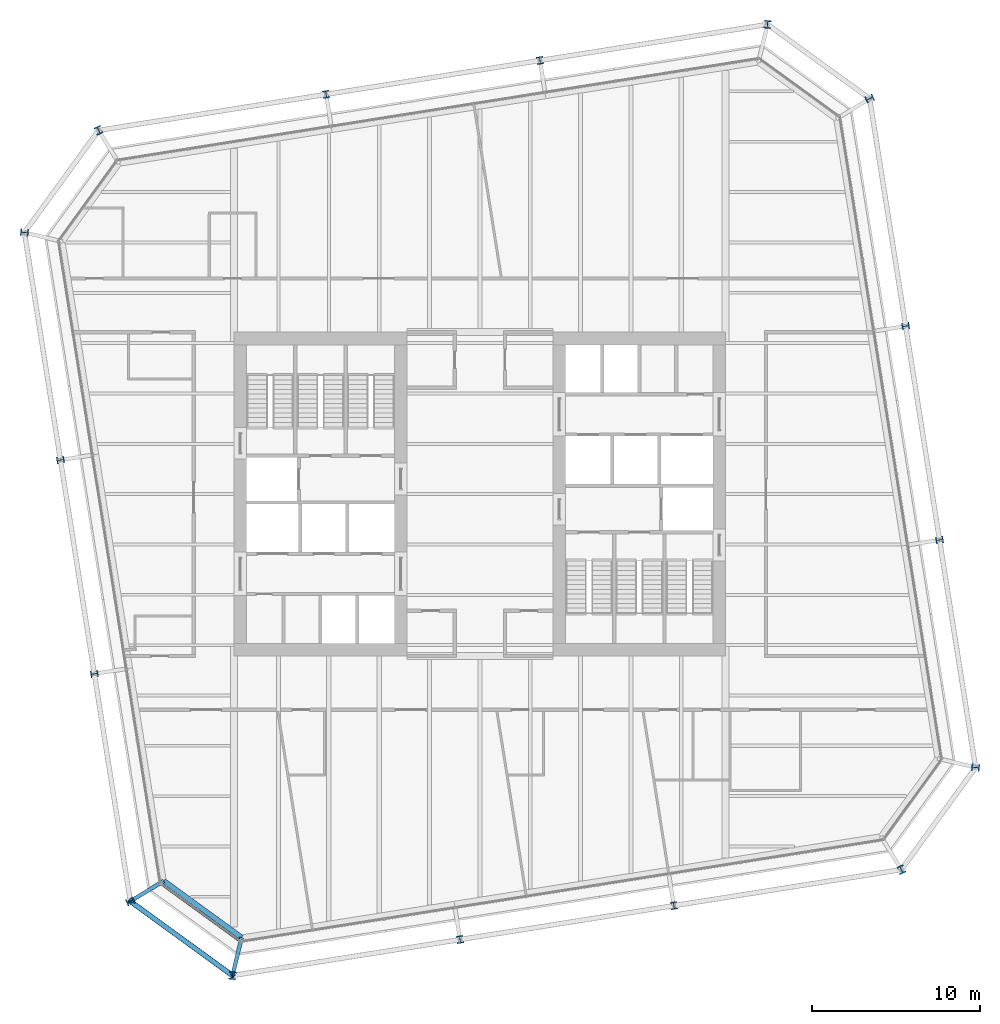
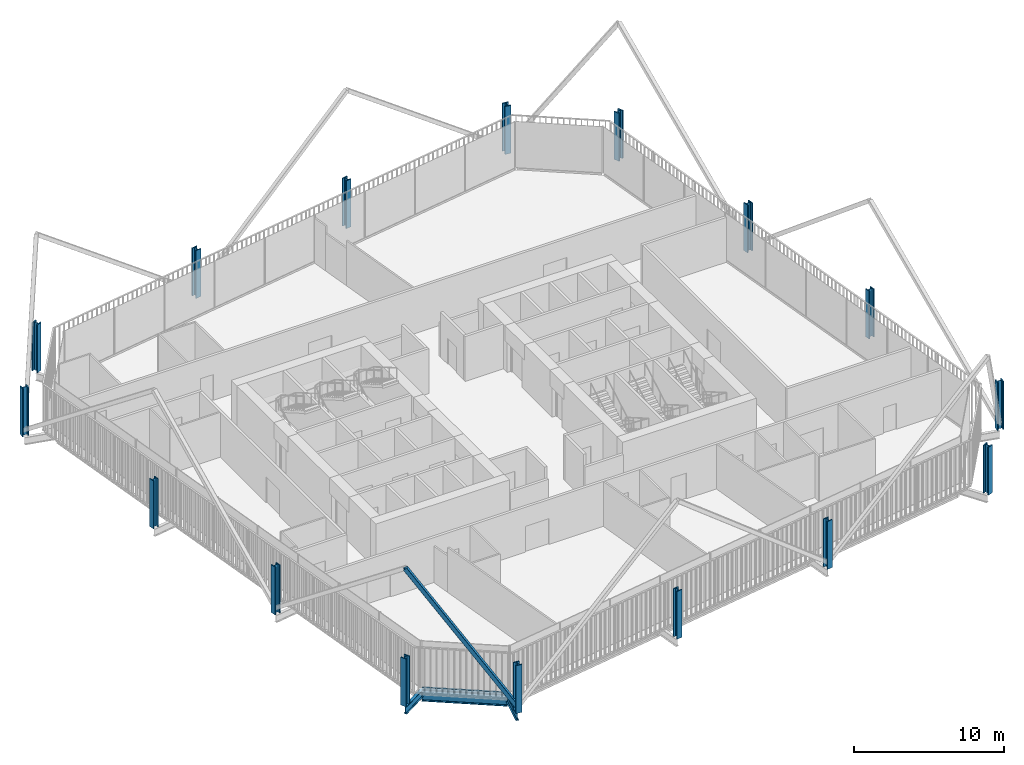
# One storey, part 1 of 22: 16 columns, 3 beams, 2 members, 1 element without a shape of its own.
"""IFC4 building model written with IfcOpenShell, lengths in metres."""

from ifc_helpers import new_model, si_unit, direction, frame, origin, origin_2d, place, context, subcontext, project, spatial, rectangle, hollow_rectangle, i_section, extrude, material, layer, layer_set, material_profile, profile_set, type_object, element, aggregate, save


model = new_model("IFC4")

# Units and contexts
model_context = context("Model", 3, precision=1e-05, world=origin(), true_north=direction((0.0, 1.0)))
body_context = subcontext(model_context, "Body", "Model", "MODEL_VIEW")
ifc_project = project(units=[si_unit("LENGTHUNIT", "METRE"), si_unit("AREAUNIT", "SQUARE_METRE"), si_unit("VOLUMEUNIT", "CUBIC_METRE"), si_unit("PLANEANGLEUNIT", "RADIAN"), si_unit("MASSUNIT", "GRAM", prefix="KILO")], contexts=[model_context])

# Site, building, storey
site_placement = place(None, origin())
site = spatial("IfcSite", under=ifc_project, at=site_placement, CompositionType="ELEMENT")
building_placement = place(site_placement, origin())
building = spatial("IfcBuilding", under=site, at=building_placement, Name="Millrace Tower", CompositionType="ELEMENT")
storey_placement = place(building_placement, frame((0.0, 0.0, 168.5)))
storey = spatial("IfcBuildingStorey", under=building, at=storey_placement, Name="L38", CompositionType="ELEMENT", Elevation=168.5)

# Columns
ifc_material_1 = material(Name="Steel ASTM A913 Grade 65", Category="steel")
ifc_material_profile_1 = material_profile(ifc_material_1, i_section(OverallWidth=0.419189453125, OverallDepth=0.45458984375, WebThickness=0.042236328125, FlangeThickness=0.067626953125, FilletRadius=0.01513671875, at=origin_2d()))
ifc_profile_set_1 = profile_set([ifc_material_profile_1], Name="Steel ASTM A913 Grade 65")
column_type_1 = type_object("IfcColumnType", Name="Exoskeleton column W14x370", PredefinedType="COLUMN", material=ifc_profile_set_1)
for number, where, z_axis, x_axis, name in (
    (1, (-1.181396484375, -26.545166015625, 0.0), (0.0, 0.0, 1.0), (0.987688339156, 0.156434474125, 0.0), "COL-C-L38-X03"),
    (2, (11.5595703125, -24.527099609375, 0.0), (0.0, 0.0, 1.0), (0.987688338239, 0.156434479917, 0.0), "COL-C-L38-X04"),
    (3, (27.39501953125, -2.7314453125, 0.0), (0.0, 0.0, 1.0), (-0.156434474125, 0.987688339156, 0.0), "COL-C-L38-X07"),
    (4, (25.376953125, 10.009765625, 0.0), (0.0, 0.0, 1.0), (-0.156434479917, 0.987688338239, 0.0), "COL-C-L38-X08"),
    (5, (3.58154296875, 25.844970703125, 0.0), (0.0, 0.0, 1.0), (-0.987688339156, -0.156434474125, 0.0), "COL-C-L38-X11"),
    (6, (-9.15966796875, 23.8271484375, 0.0), (0.0, 0.0, 1.0), (-0.987688338239, -0.156434479917, 0.0), "COL-C-L38-X12"),
    (7, (-24.9951171875, 2.031494140625, 0.0), (0.0, 0.0, 1.0), (0.156434474125, -0.987688339156, 0.0), "COL-C-L38-X15"),
    (8, (-22.97705078125, -10.709716796875, 0.0), (0.0, 0.0, 1.0), (0.156434479917, -0.987688338239, 0.0), "COL-C-L38-X16"),
):
    element("IfcColumn", number, at=place(storey_placement, frame(where, z_axis=z_axis, x_axis=x_axis)), inside=storey, type_object=column_type_1, Name=name, PredefinedType="COLUMN", context=body_context, shape_type="SweptSolid", body=[
        extrude(i_section(OverallWidth=0.419189453125, OverallDepth=0.45458984375, WebThickness=0.042236328125, FlangeThickness=0.067626953125, FilletRadius=0.01513671875, at=origin_2d()), origin(), (0.0, 0.0, 1.0), 3.89990234375),
    ])
ifc_material_2 = material(Name="Steel ASTM A913 Grade 65", Category="steel")
ifc_material_profile_2 = material_profile(ifc_material_2, i_section(OverallWidth=0.4267578125, OverallDepth=0.482666015625, WebThickness=0.05126953125, FlangeThickness=0.08154296875, FilletRadius=0.01513671875, at=origin_2d()))
ifc_profile_set_2 = profile_set([ifc_material_profile_2], Name="Steel ASTM A913 Grade 65")
column_type_2 = type_object("IfcColumnType", Name="Exoskeleton column W14x455", PredefinedType="COLUMN", material=ifc_profile_set_2)
for number, where, z_axis, x_axis, name in (
    (9, (-20.829345703125, -24.26904296875, 0.0), (0.0, 0.0, 1.0), (0.416401106568, -0.909181015227, 0.0), "COL-C-L38-X01"),
    (10, (-14.740966796875, -28.692626953125, 0.0), (0.0, 0.0, 1.0), (0.993357548409, -0.115068592665, 0.0), "COL-C-L38-X02"),
    (11, (25.119140625, -22.37939453125, 0.0), (0.0, 0.0, 1.0), (0.909181015227, 0.416401106568, 0.0), "COL-C-L38-X05"),
    (12, (29.542724609375, -16.291015625, 0.0), (0.0, 0.0, 1.0), (0.115068592665, 0.993357548409, 0.0), "COL-C-L38-X06"),
    (13, (23.2294921875, 23.569091796875, 0.0), (0.0, 0.0, 1.0), (-0.416401106568, 0.909181015227, 0.0), "COL-C-L38-X09"),
    (14, (17.140869140625, 27.99267578125, 0.0), (0.0, 0.0, 1.0), (-0.993357548409, 0.115068592665, 0.0), "COL-C-L38-X10"),
    (15, (-22.718994140625, 21.679443359375, 0.0), (0.0, 0.0, 1.0), (-0.909181015227, -0.416401106568, 0.0), "COL-C-L38-X13"),
    (16, (-27.142578125, 15.5908203125, 0.0), (0.0, 0.0, 1.0), (-0.115068592665, -0.993357548409, 0.0), "COL-C-L38-X14"),
):
    element("IfcColumn", number, at=place(storey_placement, frame(where, z_axis=z_axis, x_axis=x_axis)), inside=storey, type_object=column_type_2, Name=name, PredefinedType="COLUMN", context=body_context, shape_type="SweptSolid", body=[
        extrude(i_section(OverallWidth=0.4267578125, OverallDepth=0.482666015625, WebThickness=0.05126953125, FlangeThickness=0.08154296875, FilletRadius=0.01513671875, at=origin_2d()), origin(), (0.0, 0.0, 1.0), 3.89990234375),
    ])

# Curtain wall, member
ifc_material_3 = material(Name="Aluminium and glass", Category="aluminium")
ifc_layer = layer(ifc_material_3, 0.14990234375)
ifc_layer_set = layer_set([ifc_layer], Name="Aluminium and glass")
curtain_wall_type = type_object("IfcCurtainWallType", Name="CW-1 office vision curtain wall", PredefinedType="NOTDEFINED", material=ifc_layer_set)
curtain_wall_placement = place(storey_placement, origin())
curtain_wall = element("IfcCurtainWall", 17, at=curtain_wall_placement, inside=storey, type_object=curtain_wall_type, Name="Curtain wall C-F01 L38", PredefinedType="NOTDEFINED")
ifc_material_4 = material(Name="Aluminium", Category="aluminium")
ifc_material_profile_3 = material_profile(ifc_material_4, rectangle(XDim=0.14990234375, YDim=0.139892578125, at=origin_2d()))
ifc_profile_set_3 = profile_set([ifc_material_profile_3], Name="Aluminium")
member_type_1 = type_object("IfcMemberType", Name="CW-1 office vision curtain wall transom", PredefinedType="USERDEFINED", material=ifc_profile_set_3)
member_1_placement = place(storey_placement, frame((-18.94677734375, -23.25732421875, 0.070068359375), z_axis=(0.808998591139, -0.587810581339, 0.0), x_axis=(0.587810581339, 0.808998591139, 0.0)))
member_1 = element("IfcMember", 18, at=member_1_placement, type_object=member_type_1, Name="CW1 transom C-F01.1", ObjectType="TRANSOM", PredefinedType="USERDEFINED", context=body_context, shape_type="SweptSolid", body=[
    extrude(rectangle(XDim=0.14990234375, YDim=0.139892578125, at=origin_2d()), origin(), (0.0, 0.0, 1.0), 5.6689453125),
])
aggregate(curtain_wall, [member_1])

# Member
ifc_material_5 = material(Name="Steel ASTM A500 Grade C", Category="steel")
ifc_material_profile_4 = material_profile(ifc_material_5, hollow_rectangle(XDim=0.3046875, YDim=0.3046875, WallThickness=0.0126953125, InnerFilletRadius=0.00634765625, OuterFilletRadius=0.01904296875, at=origin_2d()))
ifc_profile_set_4 = profile_set([ifc_material_profile_4], Name="Steel ASTM A500 Grade C")
member_type_2 = type_object("IfcMemberType", Name="Exoskeleton brace HSS12x12x1/2", PredefinedType="BRACE", material=ifc_profile_set_4)
member_2_placement = place(storey_placement, frame((-14.740966796875, -28.692626953125, 0.39990234375), z_axis=(-0.465412233465, 0.338150784271, 0.817952015731), x_axis=(-0.587795495726, -0.809009551985, 0.0)))
element("IfcMember", 19, at=member_2_placement, inside=storey, type_object=member_type_2, Name="BRC-C-L38-01", PredefinedType="BRACE", context=body_context, shape_type="SweptSolid", body=[
    extrude(hollow_rectangle(XDim=0.3046875, YDim=0.3046875, WallThickness=0.0126953125, InnerFilletRadius=0.00634765625, OuterFilletRadius=0.01904296875, at=origin_2d()), origin(), (0.0, 0.0, 1.0), 13.081787109375),
])

# Beams
ifc_material_6 = material(Name="Steel ASTM A992 Grade 50", Category="steel")
ifc_material_profile_5 = material_profile(ifc_material_6, i_section(OverallWidth=0.23046875, OverallDepth=0.6171875, WebThickness=0.01318359375, FlangeThickness=0.022216796875, FilletRadius=0.012939453125, at=origin_2d()))
ifc_profile_set_5 = profile_set([ifc_material_profile_5], Name="Steel ASTM A992 Grade 50")
beam_type_1 = type_object("IfcBeamType", Name="Link beam W24x94", PredefinedType="BEAM", material=ifc_profile_set_5)
for number, where, z_axis, x_axis, name in (
    (20, (-18.841796875, -23.051025390625, -0.468505859375), (-0.852631355792, -0.522512938711, 0.0), (0.522512938711, -0.852631355792, 0.0), "LNK-C-L38-S1-01"),
    (21, (-14.19677734375, -26.426025390625, -0.468505859375), (-0.233456138164, -0.972367333652, 0.0), (0.972367333652, -0.233456138164, 0.0), "LNK-C-L38-S1-16"),
):
    element("IfcBeam", number, at=place(storey_placement, frame(where, z_axis=z_axis, x_axis=x_axis)), inside=storey, type_object=beam_type_1, Name=name, PredefinedType="BEAM", context=body_context, shape_type="SweptSolid", body=[
        extrude(i_section(OverallWidth=0.23046875, OverallDepth=0.6171875, WebThickness=0.01318359375, FlangeThickness=0.022216796875, FilletRadius=0.012939453125, at=origin_2d()), origin(), (0.0, 0.0, 1.0), 2.3310546875),
    ])
ifc_material_7 = material(Name="Steel ASTM A992 Grade 50", Category="steel")
ifc_material_profile_6 = material_profile(ifc_material_7, i_section(OverallWidth=0.307373046875, OverallDepth=0.927001953125, WebThickness=0.01953125, FlangeThickness=0.031982421875, FilletRadius=0.01904296875, at=origin_2d()))
ifc_profile_set_6 = profile_set([ifc_material_profile_6], Name="Steel ASTM A992 Grade 50")
beam_type_2 = type_object("IfcBeamType", Name="Ring beam short span W36x194", PredefinedType="SPANDREL", material=ifc_profile_set_6)
beam_placement = place(storey_placement, frame((-14.19677734375, -26.426025390625, -0.62353515625), z_axis=(-0.80900078054, 0.587807568074, 0.0), x_axis=(-0.587807568074, -0.80900078054, 0.0)))
element("IfcBeam", 22, at=beam_placement, inside=storey, type_object=beam_type_2, Name="RNG-C-L38-S1-16", PredefinedType="SPANDREL", context=body_context, shape_type="SweptSolid", body=[
    extrude(i_section(OverallWidth=0.307373046875, OverallDepth=0.927001953125, WebThickness=0.01953125, FlangeThickness=0.031982421875, FilletRadius=0.01904296875, at=origin_2d()), origin(), (0.0, 0.0, 1.0), 5.74169921875),
])

save(model, "model.ifc")
